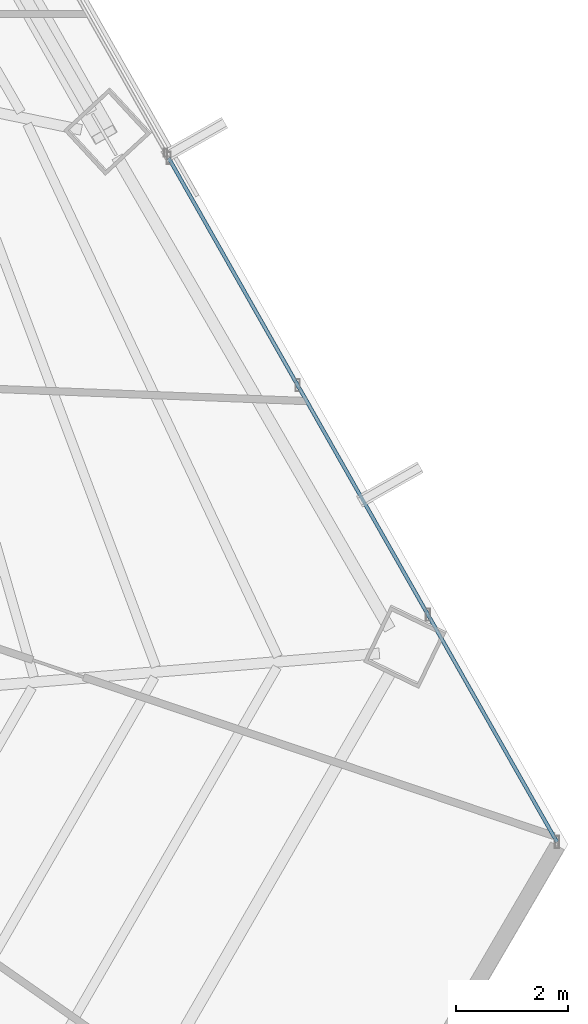
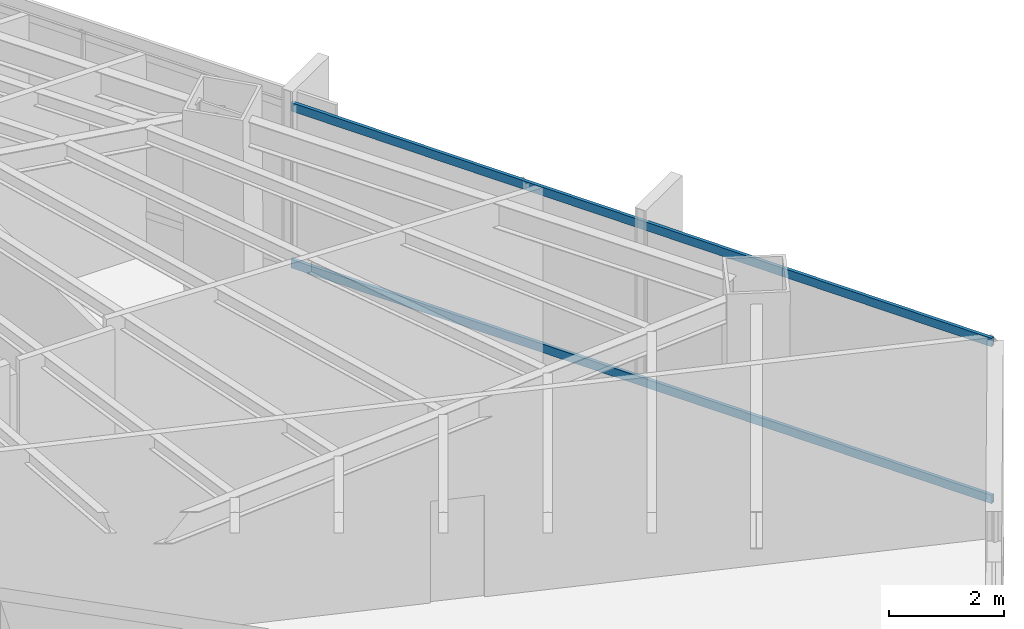
# One storey, part 23 of 37: 2 members, 1 element without a shape of its own.
"""IFC4 building model written with IfcOpenShell, lengths in metres."""

from ifc_helpers import new_model, si_unit, direction, frame, origin, origin_2d, place, context, subcontext, project, spatial, hollow_rectangle, extrude, source, transform, mapped, material, material_profile, profile_set, type_object, type_shapes, element, aggregate, save


model = new_model("IFC4")

# Units and contexts
model_context = context("Model", 3, precision=1e-05, world=origin(), true_north=direction((0.0, 1.0)))
body_context = subcontext(model_context, "Body", "Model", "MODEL_VIEW")
ifc_project = project(units=[si_unit("LENGTHUNIT", "METRE"), si_unit("AREAUNIT", "SQUARE_METRE"), si_unit("VOLUMEUNIT", "CUBIC_METRE"), si_unit("PLANEANGLEUNIT", "RADIAN"), si_unit("MASSUNIT", "GRAM", prefix="KILO")], contexts=[model_context])

# Site, building, storey
site_placement = place(None, origin())
site = spatial("IfcSite", under=ifc_project, at=site_placement, CompositionType="ELEMENT")
building_placement = place(site_placement, origin())
building = spatial("IfcBuilding", under=site, at=building_placement, Name="Caelisora Broadcast Tower", CompositionType="ELEMENT")
storey_placement = place(building_placement, frame((0.0, 0.0, 127.300048828125)))
storey = spatial("IfcBuildingStorey", under=building, at=storey_placement, Name="L33", CompositionType="ELEMENT", Elevation=127.300048828125)

# Curtain wall, members
ifc_material_1 = material(Name="Unitised Aluminium and Low-E Glass Curtain Wall", Category="glass")
curtain_wall_type = type_object("IfcCurtainWallType", Name="CW-SKY", PredefinedType="NOTDEFINED", material=ifc_material_1)
curtain_wall_placement = place(storey_placement, origin())
curtain_wall = element("IfcCurtainWall", 1, at=curtain_wall_placement, inside=storey, type_object=curtain_wall_type, Name="L33 curtain wall CW-SKY", PredefinedType="NOTDEFINED")
ifc_material_2 = material(Name="Aluminium 6063-T6 Anodised Terracotta Bronze", Category="aluminium")
ifc_material_profile = material_profile(ifc_material_2, hollow_rectangle(XDim=0.06494140625, YDim=0.179931640625, WallThickness=0.00341796875, at=origin_2d()), Name="Aluminium 6063-T6 Anodised Terracotta Bronze")
ifc_profile_set = profile_set([ifc_material_profile], Name="Aluminium 6063-T6 Anodised Terracotta Bronze")
member_type = type_object("IfcMemberType", Name="CWT-01", PredefinedType="USERDEFINED", material=ifc_profile_set)
shared_shape = source(origin(), body_context, "Body", "SweptSolid", [
    extrude(hollow_rectangle(XDim=0.06494140625, YDim=0.179931640625, WallThickness=0.00341796875, at=origin_2d()), origin(), (0.0, 0.0, 1.0), 14.08837890625),
])
type_shapes(member_type, [shared_shape])
member_1_placement = place(storey_placement, frame((56.666015625, 27.519287109375, 0.849853515625), z_axis=(0.493694078176, -0.869635646218, 0.0), x_axis=(0.869635646218, 0.493694078176, 0.0)))
member_1 = element("IfcMember", 2, at=member_1_placement, type_object=member_type, Name="L33-CW-B03 transom #1", ObjectType="TRANSOM", PredefinedType="USERDEFINED", context=body_context, shape_type="MappedRepresentation", body=[
    mapped(shared_shape, transform((0.0, 0.0, 0.0), scale=1.0)),
])
member_2_placement = place(storey_placement, frame((56.666015625, 27.519287109375, 4.169921875), z_axis=(0.493694078176, -0.869635646218, 0.0), x_axis=(0.869635646218, 0.493694078176, 0.0)))
member_2 = element("IfcMember", 3, at=member_2_placement, type_object=member_type, Name="L33-CW-B03 transom #2", ObjectType="TRANSOM", PredefinedType="USERDEFINED", context=body_context, shape_type="MappedRepresentation", body=[
    mapped(shared_shape, transform((0.0, 0.0, 0.0), scale=1.0)),
])
aggregate(curtain_wall, [member_1, member_2])

save(model, "model.ifc")
